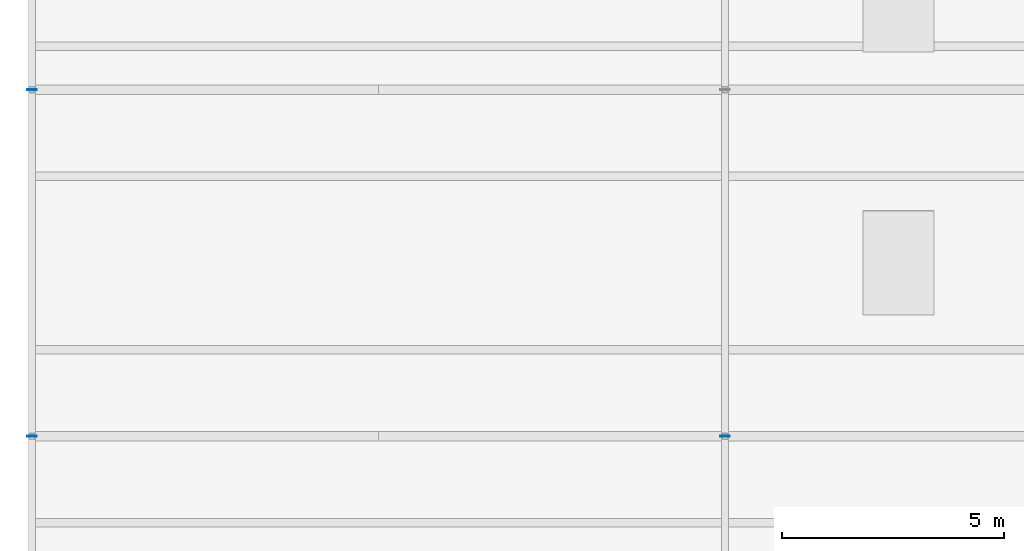
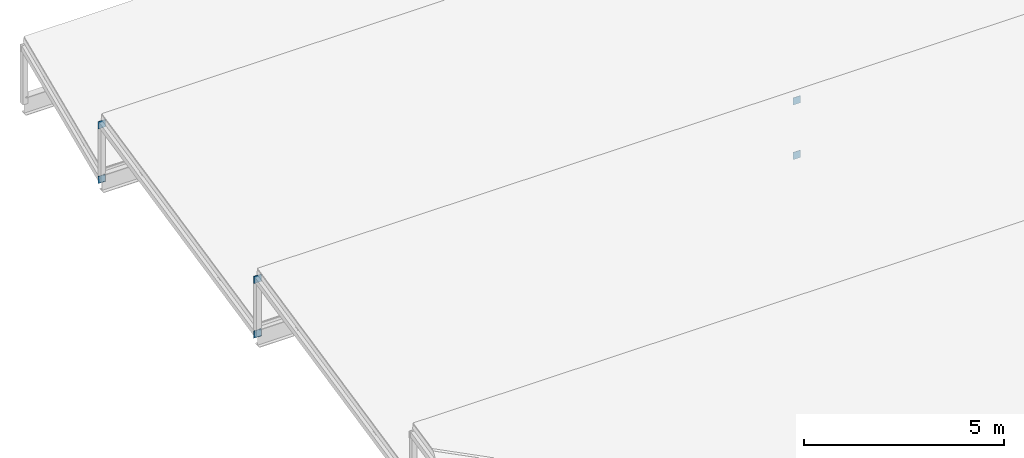
# One storey, part 56 of 89: 6 plates.
"""IFC4 building model written with IfcOpenShell, lengths in metres."""

from ifc_helpers import new_model, si_unit, direction, frame, origin, origin_2d, place, context, subcontext, project, spatial, rectangle, extrude, material, layer, layer_set, type_object, element, save


model = new_model("IFC4")

# Units and contexts
model_context = context("Model", 3, precision=1e-05, world=origin(), true_north=direction((0.0, 1.0)))
body_context = subcontext(model_context, "Body", "Model", "MODEL_VIEW")
ifc_project = project(units=[si_unit("LENGTHUNIT", "METRE"), si_unit("AREAUNIT", "SQUARE_METRE"), si_unit("VOLUMEUNIT", "CUBIC_METRE"), si_unit("PLANEANGLEUNIT", "RADIAN"), si_unit("MASSUNIT", "GRAM", prefix="KILO")], contexts=[model_context])

# Site, building, storey
site_placement = place(None, origin())
site = spatial("IfcSite", under=ifc_project, at=site_placement, CompositionType="ELEMENT")
building_placement = place(site_placement, origin())
building = spatial("IfcBuilding", under=site, at=building_placement, Name="Celorna Specialist Clinic", CompositionType="ELEMENT")
storey_placement = place(building_placement, frame((0.0, 0.0, 14.10009765625)))
storey = spatial("IfcBuildingStorey", under=building, at=storey_placement, Name="L03", CompositionType="ELEMENT", Elevation=14.10009765625)

# Plates
ifc_material = material(Name="Steel S355", Category="steel")
ifc_layer = layer(ifc_material, 0.01611328125, Name="Steel S355")
ifc_layer_set = layer_set([ifc_layer], Name="Steel S355")
plate_type = type_object("IfcPlateType", Name="EP-04", PredefinedType="SHEET", material=ifc_layer_set)
for number, where, z_axis, x_axis, name in (
    (1, (0.0, 50.699951171875, 1.35791015625), (0.0, 0.0, 1.0), (1.0, 0.0, 0.0), "Rafter chord cap plate ROOF-V2-SAW-2"),
    (2, (15.60009765625, 50.699951171875, 1.35791015625), (0.0, 0.0, 1.0), (1.0, 0.0, 0.0), "Rafter chord cap plate ROOF-V2-SAW-2"),
    (3, (0.0, 50.699951171875, -0.31201171875), (0.0, 0.0, 1.0), (1.0, 0.0, 0.0), "Rafter chord cap plate ROOF-V2-SAW-3"),
    (4, (0.0, 58.5, 1.35791015625), (0.0, 0.0, 1.0), (1.0, 0.0, 0.0), "Rafter chord cap plate ROOF-V2-SAW-3"),
    (5, (15.60009765625, 50.699951171875, -0.31201171875), (0.0, 0.0, 1.0), (1.0, 0.0, 0.0), "Rafter chord cap plate ROOF-V2-SAW-3"),
    (6, (0.0, 58.5, -0.31201171875), (0.0, 0.0, 1.0), (1.0, 0.0, 0.0), "Rafter chord cap plate ROOF-V2-SAW-4"),
):
    element("IfcPlate", number, at=place(storey_placement, frame(where, z_axis=z_axis, x_axis=x_axis)), inside=storey, type_object=plate_type, Name=name, PredefinedType="SHEET", context=body_context, shape_type="SweptSolid", body=[
        extrude(rectangle(XDim=0.219970703125, YDim=0.013916015625, at=origin_2d()), origin(), (0.0, 0.0, 1.0), 0.219970703125),
    ])

save(model, "model.ifc")
